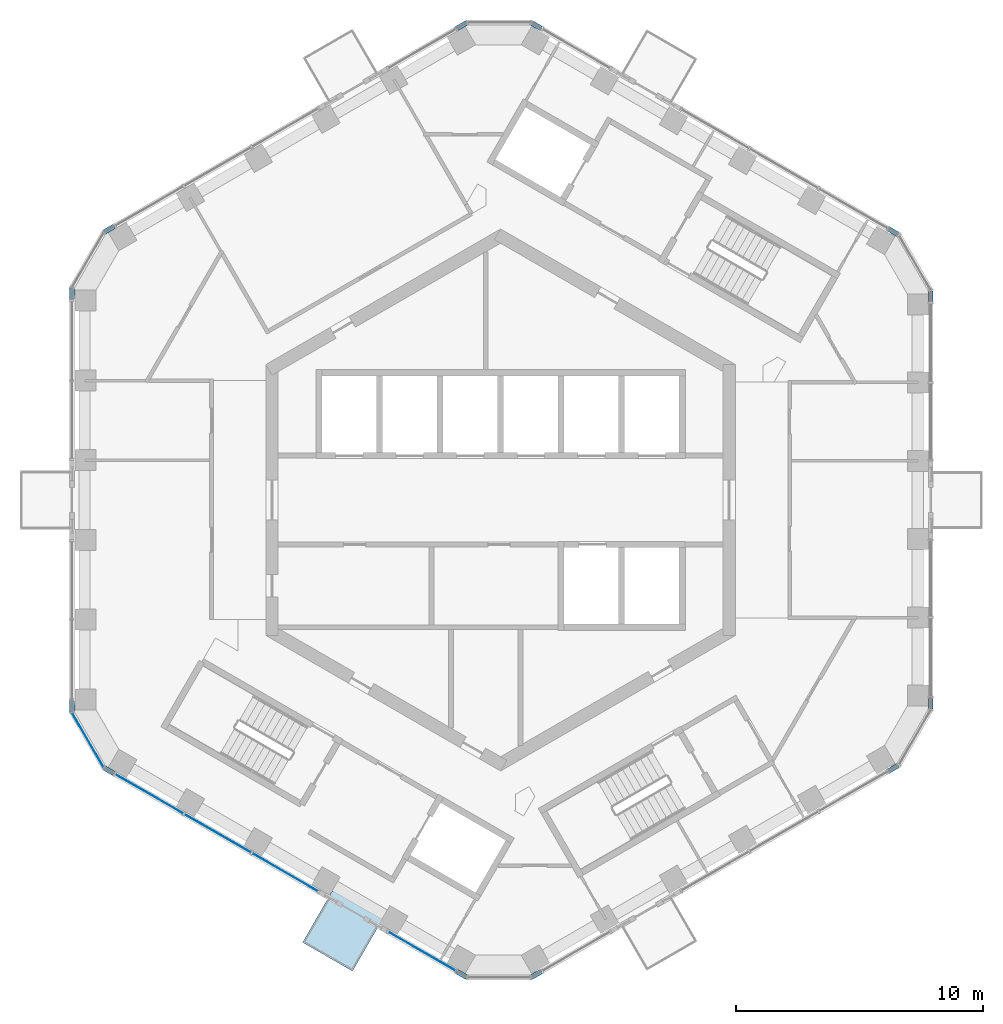
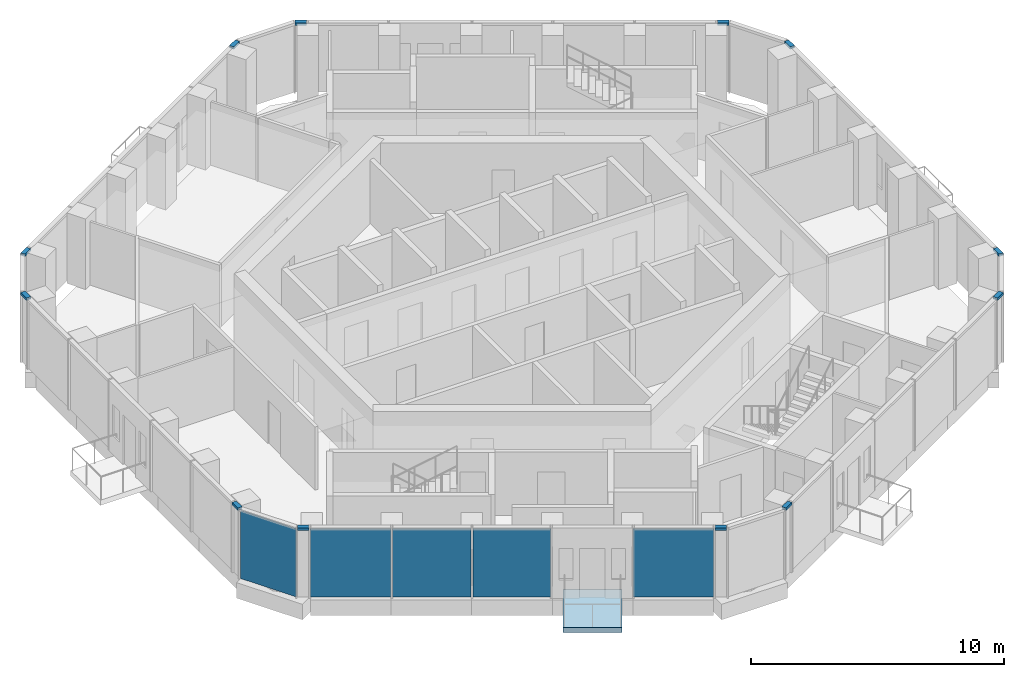
# One storey, part 7 of 19: 12 members, 5 plates, 1 slab, 8 elements without a shape of their own.
"""IFC4 building model written with IfcOpenShell, lengths in metres."""

from ifc_helpers import new_model, si_unit, direction, frame, origin, origin_2d, place, context, subcontext, project, spatial, polyline, rectangle, outline, extrude, material, layer, layer_set, material_profile, profile_set, type_object, element, aggregate, save


model = new_model("IFC4")

# Units and contexts
model_context = context("Model", 3, precision=1e-05, world=origin(), true_north=direction((0.0, 1.0)))
body_context = subcontext(model_context, "Body", "Model", "MODEL_VIEW")
ifc_project = project(units=[si_unit("LENGTHUNIT", "METRE"), si_unit("AREAUNIT", "SQUARE_METRE"), si_unit("VOLUMEUNIT", "CUBIC_METRE"), si_unit("PLANEANGLEUNIT", "RADIAN"), si_unit("MASSUNIT", "GRAM", prefix="KILO")], contexts=[model_context])

# Site, building, storey
site_placement = place(None, origin())
site = spatial("IfcSite", under=ifc_project, at=site_placement, CompositionType="ELEMENT")
building_placement = place(site_placement, origin())
building = spatial("IfcBuilding", under=site, at=building_placement, Name="Ayvan Gate Tower", CompositionType="ELEMENT")
storey_placement = place(building_placement, frame((0.0, 0.0, 222.300048828125)))
storey = spatial("IfcBuildingStorey", under=building, at=storey_placement, Name="L59", CompositionType="ELEMENT", Elevation=222.300048828125)

# Curtain wall, members
ifc_material_1 = material(Name="Bronze anodised aluminium", Category="aluminium")
ifc_layer_1 = layer(ifc_material_1, 0.199951171875)
ifc_layer_set_1 = layer_set([ifc_layer_1], Name="Bronze anodised aluminium")
curtain_wall_type_1 = type_object("IfcCurtainWallType", Name="Stick curtain wall CW-6", PredefinedType="NOTDEFINED", material=ifc_layer_set_1)
curtain_wall_1_placement = place(storey_placement, origin())
curtain_wall_1 = element("IfcCurtainWall", 1, at=curtain_wall_1_placement, inside=storey, type_object=curtain_wall_type_1, Name="Stick curtain wall CW-6 L59", PredefinedType="NOTDEFINED")
ifc_material_profile = material_profile(ifc_material_1, rectangle(XDim=0.199951171875, YDim=0.1201171875, at=origin_2d()), Name="Stick curtain wall CW-6 transom 200 x 120")
ifc_profile_set = profile_set([ifc_material_profile], Name="Bronze anodised aluminium")
member_type = type_object("IfcMemberType", Name="Stick curtain wall CW-6 transom 200 x 120", PredefinedType="USERDEFINED", material=ifc_profile_set)
member_1_placement = place(storey_placement, frame((-15.650390625, 11.0703125, 3.33984375), z_axis=(-0.866266849364, -0.49958157061, 0.0), x_axis=(0.49958157061, -0.866266849364, 0.0)))
member_1 = element("IfcMember", 2, at=member_1_placement, type_object=member_type, Name="CW-6 transom 1", ObjectType="TRANSOM", PredefinedType="USERDEFINED", context=body_context, shape_type="SweptSolid", body=[
    extrude(rectangle(XDim=0.199951171875, YDim=0.1201171875, at=origin_2d()), origin(), (0.0, 0.0, 1.0), 0.4501953125),
])
member_2_placement = place(storey_placement, frame((-17.35302734375, 8.5712890625, 3.33984375), z_axis=(0.0, -1.0, 0.0), x_axis=(1.0, 0.0, 0.0)))
member_2 = element("IfcMember", 3, at=member_2_placement, type_object=member_type, Name="CW-6 transom 3", ObjectType="TRANSOM", PredefinedType="USERDEFINED", context=body_context, shape_type="SweptSolid", body=[
    extrude(rectangle(XDim=0.199951171875, YDim=0.1201171875, at=origin_2d()), origin(), (0.0, 0.0, 1.0), 0.449951171875),
])
aggregate(curtain_wall_1, [member_1, member_2])

curtain_wall_2_placement = place(storey_placement, origin())
curtain_wall_2 = element("IfcCurtainWall", 4, at=curtain_wall_2_placement, inside=storey, type_object=curtain_wall_type_1, Name="Stick curtain wall CW-6 L59", PredefinedType="NOTDEFINED")
member_3_placement = place(storey_placement, frame((-17.35302734375, -8.121337890625, 3.33984375), z_axis=(0.0, -1.0, 0.0), x_axis=(1.0, 0.0, 0.0)))
member_3 = element("IfcMember", 5, at=member_3_placement, type_object=member_type, Name="CW-6 transom 1", ObjectType="TRANSOM", PredefinedType="USERDEFINED", context=body_context, shape_type="SweptSolid", body=[
    extrude(rectangle(XDim=0.199951171875, YDim=0.1201171875, at=origin_2d()), origin(), (0.0, 0.0, 1.0), 0.449951171875),
])
member_4_placement = place(storey_placement, frame((-16.040283203125, -10.845458984375, 3.33984375), z_axis=(0.866266849364, -0.49958157061, 0.0), x_axis=(0.49958157061, 0.866266849364, 0.0)))
member_4 = element("IfcMember", 6, at=member_4_placement, type_object=member_type, Name="CW-6 transom 3", ObjectType="TRANSOM", PredefinedType="USERDEFINED", context=body_context, shape_type="SweptSolid", body=[
    extrude(rectangle(XDim=0.199951171875, YDim=0.1201171875, at=origin_2d()), origin(), (0.0, 0.0, 1.0), 0.4501953125),
])

curtain_wall_3_placement = place(storey_placement, origin())
curtain_wall_3 = element("IfcCurtainWall", 7, at=curtain_wall_3_placement, inside=storey, type_object=curtain_wall_type_1, Name="Stick curtain wall CW-6 L59", PredefinedType="NOTDEFINED")
member_5_placement = place(storey_placement, frame((-1.761962890625, -19.0888671875, 3.33984375), z_axis=(0.865896406789, -0.500223362819, 0.0), x_axis=(0.500223362819, 0.865896406789, 0.0)))
member_5 = element("IfcMember", 8, at=member_5_placement, type_object=member_type, Name="CW-6 transom 1", ObjectType="TRANSOM", PredefinedType="USERDEFINED", context=body_context, shape_type="SweptSolid", body=[
    extrude(rectangle(XDim=0.199951171875, YDim=0.1201171875, at=origin_2d()), origin(), (0.0, 0.0, 1.0), 0.449951171875),
])
member_6_placement = place(storey_placement, frame((1.253662109375, -19.31396484375, 3.33984375), z_axis=(0.865896406789, 0.500223362819, 0.0), x_axis=(-0.500223362819, 0.865896406789, 0.0)))
member_6 = element("IfcMember", 9, at=member_6_placement, type_object=member_type, Name="CW-6 transom 3", ObjectType="TRANSOM", PredefinedType="USERDEFINED", context=body_context, shape_type="SweptSolid", body=[
    extrude(rectangle(XDim=0.199951171875, YDim=0.1201171875, at=origin_2d()), origin(), (0.0, 0.0, 1.0), 0.449951171875),
])
aggregate(curtain_wall_3, [member_5, member_6])

curtain_wall_4_placement = place(storey_placement, origin())
curtain_wall_4 = element("IfcCurtainWall", 10, at=curtain_wall_4_placement, inside=storey, type_object=curtain_wall_type_1, Name="Stick curtain wall CW-6 L59", PredefinedType="NOTDEFINED")
member_7_placement = place(storey_placement, frame((15.7099609375, -10.967529296875, 3.33984375), z_axis=(0.866131372301, 0.499816412211, 0.0), x_axis=(-0.499816412211, 0.866131372301, 0.0)))
member_7 = element("IfcMember", 11, at=member_7_placement, type_object=member_type, Name="CW-6 transom 1", ObjectType="TRANSOM", PredefinedType="USERDEFINED", context=body_context, shape_type="SweptSolid", body=[
    extrude(rectangle(XDim=0.199951171875, YDim=0.1201171875, at=origin_2d()), origin(), (0.0, 0.0, 1.0), 0.449951171875),
])
member_8_placement = place(storey_placement, frame((17.41259765625, -8.468505859375, 3.33984375), z_axis=(0.0, 1.0, 0.0), x_axis=(-1.0, 0.0, 0.0)))
member_8 = element("IfcMember", 12, at=member_8_placement, type_object=member_type, Name="CW-6 transom 3", ObjectType="TRANSOM", PredefinedType="USERDEFINED", context=body_context, shape_type="SweptSolid", body=[
    extrude(rectangle(XDim=0.199951171875, YDim=0.1201171875, at=origin_2d()), origin(), (0.0, 0.0, 1.0), 0.449951171875),
])
aggregate(curtain_wall_4, [member_7, member_8])

curtain_wall_5_placement = place(storey_placement, origin())
curtain_wall_5 = element("IfcCurtainWall", 13, at=curtain_wall_5_placement, inside=storey, type_object=curtain_wall_type_1, Name="Stick curtain wall CW-6 L59", PredefinedType="NOTDEFINED")
member_9_placement = place(storey_placement, frame((17.41259765625, 8.0185546875, 3.33984375), z_axis=(0.0, 1.0, 0.0), x_axis=(-1.0, 0.0, 0.0)))
member_9 = element("IfcMember", 14, at=member_9_placement, type_object=member_type, Name="CW-6 transom 1", ObjectType="TRANSOM", PredefinedType="USERDEFINED", context=body_context, shape_type="SweptSolid", body=[
    extrude(rectangle(XDim=0.199951171875, YDim=0.1201171875, at=origin_2d()), origin(), (0.0, 0.0, 1.0), 0.449951171875),
])
member_10_placement = place(storey_placement, frame((16.099609375, 10.74267578125, 3.33984375), z_axis=(-0.866131372301, 0.499816412211, 0.0), x_axis=(-0.499816412211, -0.866131372301, 0.0)))
member_10 = element("IfcMember", 15, at=member_10_placement, type_object=member_type, Name="CW-6 transom 3", ObjectType="TRANSOM", PredefinedType="USERDEFINED", context=body_context, shape_type="SweptSolid", body=[
    extrude(rectangle(XDim=0.199951171875, YDim=0.1201171875, at=origin_2d()), origin(), (0.0, 0.0, 1.0), 0.449951171875),
])
aggregate(curtain_wall_5, [member_9, member_10])

curtain_wall_6_placement = place(storey_placement, origin())
curtain_wall_6 = element("IfcCurtainWall", 16, at=curtain_wall_6_placement, inside=storey, type_object=curtain_wall_type_1, Name="Stick curtain wall CW-6 L59", PredefinedType="NOTDEFINED")
member_11_placement = place(storey_placement, frame((1.643310546875, 19.0888671875, 3.33984375), z_axis=(-0.865896406789, 0.500223362819, 0.0), x_axis=(-0.500223362819, -0.865896406789, 0.0)))
member_11 = element("IfcMember", 17, at=member_11_placement, type_object=member_type, Name="CW-6 transom 1", ObjectType="TRANSOM", PredefinedType="USERDEFINED", context=body_context, shape_type="SweptSolid", body=[
    extrude(rectangle(XDim=0.199951171875, YDim=0.1201171875, at=origin_2d()), origin(), (0.0, 0.0, 1.0), 0.449951171875),
])
member_12_placement = place(storey_placement, frame((-1.372314453125, 19.31396484375, 3.33984375), z_axis=(-0.865896406789, -0.500223362819, 0.0), x_axis=(0.500223362819, -0.865896406789, 0.0)))
member_12 = element("IfcMember", 18, at=member_12_placement, type_object=member_type, Name="CW-6 transom 3", ObjectType="TRANSOM", PredefinedType="USERDEFINED", context=body_context, shape_type="SweptSolid", body=[
    extrude(rectangle(XDim=0.199951171875, YDim=0.1201171875, at=origin_2d()), origin(), (0.0, 0.0, 1.0), 0.449951171875),
])
aggregate(curtain_wall_6, [member_11, member_12])

# Slab
ifc_material_2 = material(Name="Concrete C40/50", Category="concrete")
ifc_layer_2 = layer(ifc_material_2, 0.25)
ifc_layer_set_2 = layer_set([ifc_layer_2], Name="Concrete C40/50")
slab_type = type_object("IfcSlabType", Name="Balcony slab 250", PredefinedType="FLOOR", material=ifc_layer_set_2)
slab_placement = place(storey_placement, frame((0.0, 0.0, -0.25)))
element("IfcSlab", 19, at=slab_placement, inside=storey, type_object=slab_type, Name="Balcony slab BAL-L59-4", PredefinedType="FLOOR", context=body_context, shape_type="SweptSolid", body=[
    extrude(outline(polyline([(-6.69873046875, -15.63232421875), (-4.68115234375, -16.79736328125), (-5.99365234375, -19.070556640625), (-8.01123046875, -17.90576171875), (-6.69873046875, -15.63232421875)])), origin(), (0.0, 0.0, 1.0), 0.25),
])

# Curtain wall, plates
ifc_layer_3 = layer(ifc_material_1, 0.199951171875)
ifc_layer_set_3 = layer_set([ifc_layer_3], Name="Bronze anodised aluminium")
curtain_wall_type_2 = type_object("IfcCurtainWallType", Name="Stick curtain wall CW-2", PredefinedType="NOTDEFINED", material=ifc_layer_set_3)
curtain_wall_7_placement = place(storey_placement, origin())
curtain_wall_7 = element("IfcCurtainWall", 20, at=curtain_wall_7_placement, inside=storey, type_object=curtain_wall_type_2, Name="Stick curtain wall CW-2 L59", PredefinedType="NOTDEFINED")
ifc_material_3 = material(Name="Clear low-iron laminated glass", Category="glass")
ifc_layer_4 = layer(ifc_material_3, 0.028076171875)
ifc_layer_set_4 = layer_set([ifc_layer_4], Name="Clear low-iron laminated glass")
plate_type_1 = type_object("IfcPlateType", Name="Stick curtain wall CW-2 glass panel", PredefinedType="CURTAIN_PANEL", material=ifc_layer_set_4)
plate_1_placement = place(storey_placement, frame((-14.235107421875, -11.8876953125, 0.0), z_axis=(0.0, 0.0, 1.0), x_axis=(0.866025403784, -0.5, 0.0)))
plate_1 = element("IfcPlate", 21, at=plate_1_placement, type_object=plate_type_1, Name="CW-2 glass panel 1", PredefinedType="CURTAIN_PANEL", context=body_context, shape_type="SweptSolid", body=[
    extrude(rectangle(XDim=3.198974609375, YDim=0.028076171875, at=origin_2d()), origin(), (0.0, 0.0, 1.0), 3.280029296875),
])
plate_2_placement = place(storey_placement, frame((-11.447998046875, -13.49658203125, 0.0), z_axis=(0.0, 0.0, 1.0), x_axis=(0.866025403784, -0.5, 0.0)))
plate_2 = element("IfcPlate", 22, at=plate_2_placement, type_object=plate_type_1, Name="CW-2 glass panel 2", PredefinedType="CURTAIN_PANEL", context=body_context, shape_type="SweptSolid", body=[
    extrude(rectangle(XDim=3.096923828125, YDim=0.028076171875, at=origin_2d()), origin(), (0.0, 0.0, 1.0), 3.280029296875),
])
plate_3_placement = place(storey_placement, frame((-8.705810546875, -15.079833984375, 0.0), z_axis=(0.0, 0.0, 1.0), x_axis=(0.866025403784, -0.5, 0.0)))
plate_3 = element("IfcPlate", 23, at=plate_3_placement, type_object=plate_type_1, Name="CW-2 glass panel 3", PredefinedType="CURTAIN_PANEL", context=body_context, shape_type="SweptSolid", body=[
    extrude(rectangle(XDim=3.095947265625, YDim=0.028076171875, at=origin_2d()), origin(), (0.0, 0.0, 1.0), 3.280029296875),
])
aggregate(curtain_wall_7, [plate_1, plate_2, plate_3])

# Curtain wall, plate
curtain_wall_8_placement = place(storey_placement, origin())
curtain_wall_8 = element("IfcCurtainWall", 24, at=curtain_wall_8_placement, inside=storey, type_object=curtain_wall_type_2, Name="Stick curtain wall CW-2 L59", PredefinedType="NOTDEFINED")
plate_4_placement = place(storey_placement, frame((-3.177490234375, -18.271728515625, 0.0), z_axis=(0.0, 0.0, 1.0), x_axis=(0.866025403784, -0.5, 0.0)))
plate_4 = element("IfcPlate", 25, at=plate_4_placement, type_object=plate_type_1, Name="CW-2 glass panel 1", PredefinedType="CURTAIN_PANEL", context=body_context, shape_type="SweptSolid", body=[
    extrude(rectangle(XDim=3.198974609375, YDim=0.028076171875, at=origin_2d()), origin(), (0.0, 0.0, 1.0), 3.280029296875),
])
aggregate(curtain_wall_8, [plate_4])

# Plate
ifc_layer_5 = layer(ifc_material_3, 0.028076171875)
ifc_layer_set_5 = layer_set([ifc_layer_5], Name="Clear low-iron laminated glass")
plate_type_2 = type_object("IfcPlateType", Name="Stick curtain wall CW-6 glass panel", PredefinedType="CURTAIN_PANEL", material=ifc_layer_set_5)
plate_5_placement = place(storey_placement, frame((-16.70751953125, -9.714599609375, 0.0), z_axis=(0.0, 0.0, 1.0), x_axis=(0.5, -0.866025403784, 0.0)))
plate_5 = element("IfcPlate", 26, at=plate_5_placement, type_object=plate_type_2, Name="CW-6 glass panel 2", PredefinedType="CURTAIN_PANEL", context=body_context, shape_type="SweptSolid", body=[
    extrude(rectangle(XDim=2.532470703125, YDim=0.028076171875, at=origin_2d()), origin(), (0.0, 0.0, 1.0), 3.280029296875),
])

aggregate(curtain_wall_2, [member_3, member_4, plate_5])

save(model, "model.ifc")
